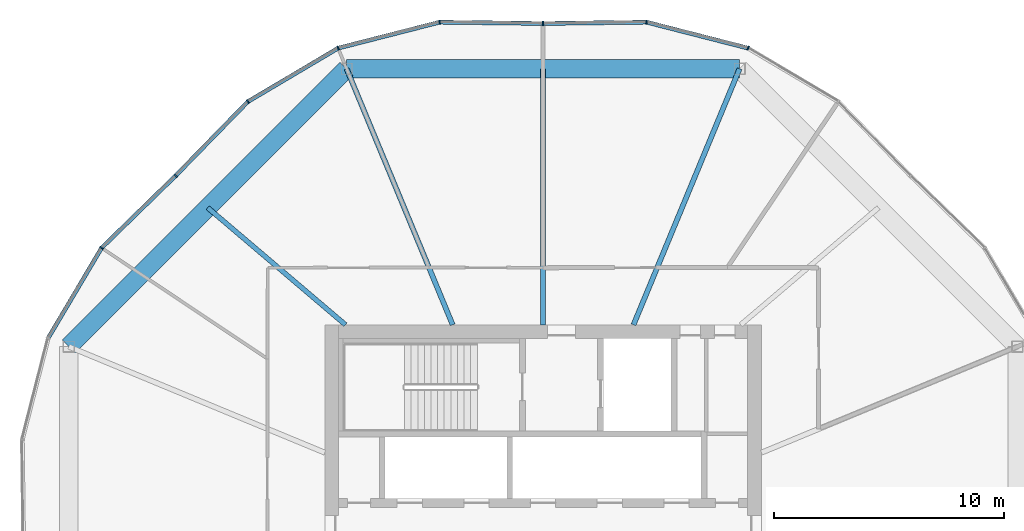
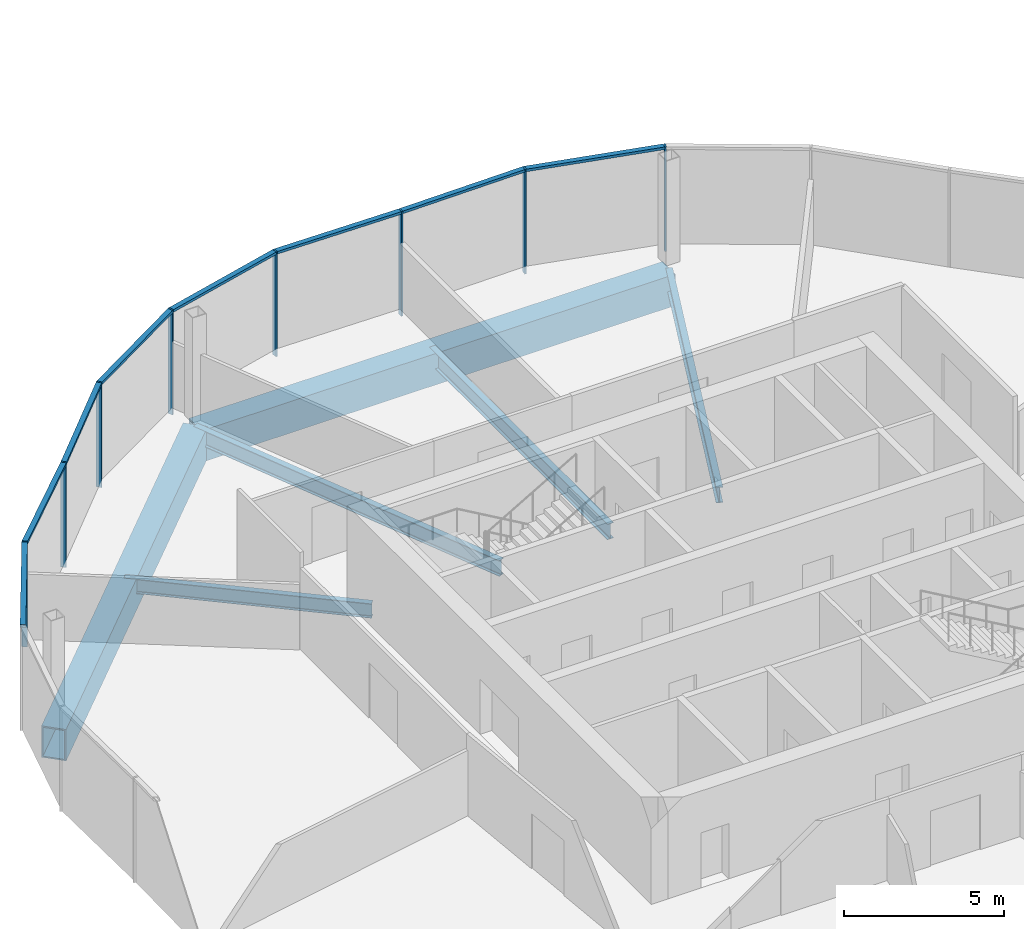
# One storey, part 10 of 26: 16 members, 6 beams, 3 elements without a shape of their own.
"""IFC4 building model written with IfcOpenShell, lengths in metres."""

from ifc_helpers import new_model, si_unit, direction, frame, origin, origin_2d, place, context, subcontext, project, spatial, rectangle, hollow_rectangle, i_section, extrude, material, material_profile, profile_set, type_object, element, aggregate, save


model = new_model("IFC4")

# Units and contexts
model_context = context("Model", 3, precision=1e-05, world=origin(), true_north=direction((0.0, 1.0)))
body_context = subcontext(model_context, "Body", "Model", "MODEL_VIEW")
ifc_project = project(units=[si_unit("LENGTHUNIT", "METRE"), si_unit("AREAUNIT", "SQUARE_METRE"), si_unit("VOLUMEUNIT", "CUBIC_METRE"), si_unit("PLANEANGLEUNIT", "RADIAN"), si_unit("MASSUNIT", "GRAM", prefix="KILO")], contexts=[model_context])

# Site, building, storey
site_placement = place(None, origin())
site = spatial("IfcSite", under=ifc_project, at=site_placement, CompositionType="ELEMENT")
building_placement = place(site_placement, origin())
building = spatial("IfcBuilding", under=site, at=building_placement, Name="Ogive Gate Towers", CompositionType="ELEMENT")
storey_placement = place(building_placement, frame((0.0, 0.0, 148.800048828125)))
storey = spatial("IfcBuildingStorey", under=building, at=storey_placement, Name="L35", CompositionType="ELEMENT", Elevation=148.800048828125)

# Beams
ifc_material_1 = material(Name="Steel SM460", Category="steel")
ifc_material_profile_1 = material_profile(ifc_material_1, hollow_rectangle(XDim=0.800048828125, YDim=1.199951171875, WallThickness=0.050048828125, at=origin_2d()), Name="BX 1200x800x50")
ifc_profile_set_1 = profile_set([ifc_material_profile_1], Name="Steel SM460")
beam_type_1 = type_object("IfcBeamType", Name="Edge girder BX 1200x800x50", PredefinedType="BEAM", material=ifc_profile_set_1)
beam_1_placement = place(storey_placement, frame((-27.450927734375, 20.639404296875, -0.900146484375), z_axis=(-1.0, 0.0, 0.0), x_axis=(0.0, -1.0, 0.0)))
element("IfcBeam", 1, at=beam_1_placement, inside=storey, type_object=beam_type_1, Name="T1/L35/SBM022", PredefinedType="BEAM", context=body_context, shape_type="SweptSolid", body=[
    extrude(hollow_rectangle(XDim=0.800048828125, YDim=1.199951171875, WallThickness=0.050048828125, at=origin_2d()), origin(), (0.0, 0.0, 1.0), 17.09814453125),
])
beam_2_placement = place(storey_placement, frame((-44.549072265625, 20.639404296875, -0.900146484375), z_axis=(-0.707106781187, -0.707106781187, 0.0), x_axis=(0.707106781187, -0.707106781187, 0.0)))
element("IfcBeam", 2, at=beam_2_placement, inside=storey, type_object=beam_type_1, Name="T1/L35/SBM023", PredefinedType="BEAM", context=body_context, shape_type="SweptSolid", body=[
    extrude(hollow_rectangle(XDim=0.800048828125, YDim=1.199951171875, WallThickness=0.050048828125, at=origin_2d()), origin(), (0.0, 0.0, 1.0), 17.098388671875),
])
ifc_material_2 = material(Name="Steel SM355", Category="steel")
ifc_material_profile_2 = material_profile(ifc_material_2, i_section(OverallWidth=0.2099609375, OverallDepth=0.550048828125, WebThickness=0.010986328125, FlangeThickness=0.01708984375, FilletRadius=0.02392578125, at=origin_2d()), Name="IPE 550")
ifc_profile_set_2 = profile_set([ifc_material_profile_2], Name="Steel SM355")
beam_type_2 = type_object("IfcBeamType", Name="Radial floor beam IPE 550", PredefinedType="BEAM", material=ifc_profile_set_2)
beam_3_placement = place(storey_placement, frame((-44.60009765625, 9.5, -0.574951171875), z_axis=(-0.761988324045, 0.647590761222, 0.0), x_axis=(-0.647590761222, -0.761988324045, 0.0)))
element("IfcBeam", 3, at=beam_3_placement, inside=storey, type_object=beam_type_2, Name="T1/L35/SBM014", PredefinedType="BEAM", context=body_context, shape_type="SweptSolid", body=[
    extrude(i_section(OverallWidth=0.2099609375, OverallDepth=0.550048828125, WebThickness=0.010986328125, FlangeThickness=0.01708984375, FilletRadius=0.02392578125, at=origin_2d()), origin(), (0.0, 0.0, 1.0), 7.866455078125),
])
ifc_material_profile_3 = material_profile(ifc_material_2, i_section(OverallWidth=0.219970703125, OverallDepth=0.60009765625, WebThickness=0.011962890625, FlangeThickness=0.01904296875, FilletRadius=0.02392578125, at=origin_2d()), Name="IPE 600")
ifc_profile_set_3 = profile_set([ifc_material_profile_3], Name="Steel SM355")
beam_type_3 = type_object("IfcBeamType", Name="Radial floor beam IPE 600", PredefinedType="BEAM", material=ifc_profile_set_3)
beam_4_placement = place(storey_placement, frame((-32.06494140625, 9.5, -0.60009765625), z_axis=(0.382677863518, 0.923881839184, 0.0), x_axis=(-0.923881839184, 0.382677863518, 0.0)))
element("IfcBeam", 4, at=beam_4_placement, inside=storey, type_object=beam_type_3, Name="T1/L35/SBM011", PredefinedType="BEAM", context=body_context, shape_type="SweptSolid", body=[
    extrude(i_section(OverallWidth=0.219970703125, OverallDepth=0.60009765625, WebThickness=0.011962890625, FlangeThickness=0.01904296875, FilletRadius=0.02392578125, at=origin_2d()), origin(), (0.0, 0.0, 1.0), 12.05712890625),
])
beam_5_placement = place(storey_placement, frame((-36.0, 9.5, -0.60009765625), z_axis=(0.0, 1.0, 0.0), x_axis=(-1.0, 0.0, 0.0)))
element("IfcBeam", 5, at=beam_5_placement, inside=storey, type_object=beam_type_3, Name="T1/L35/SBM012", PredefinedType="BEAM", context=body_context, shape_type="SweptSolid", body=[
    extrude(i_section(OverallWidth=0.219970703125, OverallDepth=0.60009765625, WebThickness=0.011962890625, FlangeThickness=0.01904296875, FilletRadius=0.02392578125, at=origin_2d()), origin(), (0.0, 0.0, 1.0), 11.139404296875),
])
beam_6_placement = place(storey_placement, frame((-39.93505859375, 9.5, -0.60009765625), z_axis=(-0.382677863518, 0.923881839184, 0.0), x_axis=(-0.923881839184, -0.382677863518, 0.0)))
element("IfcBeam", 6, at=beam_6_placement, inside=storey, type_object=beam_type_3, Name="T1/L35/SBM013", PredefinedType="BEAM", context=body_context, shape_type="SweptSolid", body=[
    extrude(i_section(OverallWidth=0.219970703125, OverallDepth=0.60009765625, WebThickness=0.011962890625, FlangeThickness=0.01904296875, FilletRadius=0.02392578125, at=origin_2d()), origin(), (0.0, 0.0, 1.0), 12.05712890625),
])

# Curtain wall, members
ifc_material_3 = material(Name="Pale metal aluminium", Category="aluminium")
curtain_wall_type = type_object("IfcCurtainWallType", Name="Tower unitised wall, high zone", PredefinedType="NOTDEFINED", material=ifc_material_3)
curtain_wall_1_placement = place(storey_placement, origin())
curtain_wall_1 = element("IfcCurtainWall", 7, at=curtain_wall_1_placement, inside=storey, type_object=curtain_wall_type, Name="CW2 T1 ECW02", PredefinedType="NOTDEFINED")
ifc_material_profile_4 = material_profile(ifc_material_3, rectangle(XDim=0.179931640625, YDim=0.06005859375, at=origin_2d()), Name="60 x 180 aluminium box")
ifc_profile_set_4 = profile_set([ifc_material_profile_4], Name="Pale metal aluminium")
member_type_1 = type_object("IfcMemberType", Name="Tower unitised wall, high zone mullion 60 x 180", PredefinedType="MULLION", material=ifc_profile_set_4)
member_1_placement = place(storey_placement, frame((-27.0791015625, 21.53662109375, -0.300048828125), z_axis=(0.0, 0.0, 1.0), x_axis=(0.382683432365, 0.923879532511, 0.0)))
member_1 = element("IfcMember", 8, at=member_1_placement, type_object=member_type_1, Name="CW2 mullion", PredefinedType="MULLION", context=body_context, shape_type="SweptSolid", body=[
    extrude(rectangle(XDim=0.179931640625, YDim=0.06005859375, at=origin_2d()), origin(), (0.0, 0.0, 1.0), 4.0),
])
member_2_placement = place(storey_placement, frame((-31.498291015625, 22.66796875, -0.300048828125), z_axis=(0.0, 0.0, 1.0), x_axis=(0.118611931918, 0.992940687859, 0.0)))
member_2 = element("IfcMember", 9, at=member_2_placement, type_object=member_type_1, Name="CW2 mullion", PredefinedType="MULLION", context=body_context, shape_type="SweptSolid", body=[
    extrude(rectangle(XDim=0.179931640625, YDim=0.06005859375, at=origin_2d()), origin(), (0.0, 0.0, 1.0), 4.0),
])
member_3_placement = place(storey_placement, frame((-36.0, 22.610107421875, -0.300048828125), z_axis=(0.0, 0.0, 1.0), x_axis=(-0.012827818167, 0.999917720156, 0.0)))
member_3 = element("IfcMember", 10, at=member_3_placement, type_object=member_type_1, Name="CW2 mullion", PredefinedType="MULLION", context=body_context, shape_type="SweptSolid", body=[
    extrude(rectangle(XDim=0.179931640625, YDim=0.06005859375, at=origin_2d()), origin(), (0.0, 0.0, 1.0), 4.0),
])

curtain_wall_2_placement = place(storey_placement, origin())
curtain_wall_2 = element("IfcCurtainWall", 11, at=curtain_wall_2_placement, inside=storey, type_object=curtain_wall_type, Name="CW2 T1 ECW03", PredefinedType="NOTDEFINED")
member_4_placement = place(storey_placement, frame((-40.501708984375, 22.66796875, -0.300048828125), z_axis=(0.0, 0.0, 1.0), x_axis=(-0.118611931918, 0.992940687859, 0.0)))
member_4 = element("IfcMember", 12, at=member_4_placement, type_object=member_type_1, Name="CW2 mullion", PredefinedType="MULLION", context=body_context, shape_type="SweptSolid", body=[
    extrude(rectangle(XDim=0.179931640625, YDim=0.06005859375, at=origin_2d()), origin(), (0.0, 0.0, 1.0), 4.0),
])
member_5_placement = place(storey_placement, frame((-44.9208984375, 21.53662109375, -0.300048828125), z_axis=(0.0, 0.0, 1.0), x_axis=(-0.382683432365, 0.923879532511, 0.0)))
member_5 = element("IfcMember", 13, at=member_5_placement, type_object=member_type_1, Name="CW2 mullion", PredefinedType="MULLION", context=body_context, shape_type="SweptSolid", body=[
    extrude(rectangle(XDim=0.179931640625, YDim=0.06005859375, at=origin_2d()), origin(), (0.0, 0.0, 1.0), 4.0),
])
member_6_placement = place(storey_placement, frame((-48.845458984375, 19.2119140625, -0.300048828125), z_axis=(0.0, 0.0, 1.0), x_axis=(-0.618230074168, 0.78599718536, 0.0)))
member_6 = element("IfcMember", 14, at=member_6_placement, type_object=member_type_1, Name="CW2 mullion", PredefinedType="MULLION", context=body_context, shape_type="SweptSolid", body=[
    extrude(rectangle(XDim=0.179931640625, YDim=0.06005859375, at=origin_2d()), origin(), (0.0, 0.0, 1.0), 4.0),
])
member_7_placement = place(storey_placement, frame((-51.987548828125, 15.98779296875, -0.300048828125), z_axis=(0.0, 0.0, 1.0), x_axis=(-0.716119237764, 0.697977963337, 0.0)))
member_7 = element("IfcMember", 15, at=member_7_placement, type_object=member_type_1, Name="CW2 mullion", PredefinedType="MULLION", context=body_context, shape_type="SweptSolid", body=[
    extrude(rectangle(XDim=0.179931640625, YDim=0.06005859375, at=origin_2d()), origin(), (0.0, 0.0, 1.0), 4.0),
])

# Curtain wall, member
curtain_wall_3_placement = place(storey_placement, origin())
curtain_wall_3 = element("IfcCurtainWall", 16, at=curtain_wall_3_placement, inside=storey, type_object=curtain_wall_type, Name="CW2 T1 ECW04", PredefinedType="NOTDEFINED")
member_8_placement = place(storey_placement, frame((-55.2119140625, 12.845458984375, -0.300048828125), z_axis=(0.0, 0.0, 1.0), x_axis=(-0.78599718536, 0.618230074168, 0.0)))
member_8 = element("IfcMember", 17, at=member_8_placement, type_object=member_type_1, Name="CW2 mullion", PredefinedType="MULLION", context=body_context, shape_type="SweptSolid", body=[
    extrude(rectangle(XDim=0.179931640625, YDim=0.06005859375, at=origin_2d()), origin(), (0.0, 0.0, 1.0), 4.0),
])

# Member
ifc_material_profile_5 = material_profile(ifc_material_3, rectangle(XDim=0.179931640625, YDim=0.10009765625, at=origin_2d()), Name="100 x 180 aluminium box")
ifc_profile_set_5 = profile_set([ifc_material_profile_5], Name="Pale metal aluminium")
member_type_2 = type_object("IfcMemberType", Name="Tower unitised wall, high zone transom 100 x 180", PredefinedType="USERDEFINED", material=ifc_profile_set_5)
member_9_placement = place(storey_placement, frame((-27.10693359375, 21.543701171875, 3.64990234375), z_axis=(-0.968765769821, 0.247977586132, 0.0), x_axis=(-0.247977586132, -0.968765769821, 0.0)))
member_9 = element("IfcMember", 18, at=member_9_placement, type_object=member_type_2, Name="CW2 transom", ObjectType="TRANSOM", PredefinedType="USERDEFINED", context=body_context, shape_type="SweptSolid", body=[
    extrude(rectangle(XDim=0.179931640625, YDim=0.10009765625, at=origin_2d()), origin(), (0.0, 0.0, 1.0), 4.504150390625),
])

member_10_placement = place(storey_placement, frame((-31.527099609375, 22.66748046875, 3.64990234375), z_axis=(-0.999917339021, -0.012857492984, 0.0), x_axis=(0.012857492984, -0.999917339021, 0.0)))
member_10 = element("IfcMember", 19, at=member_10_placement, type_object=member_type_2, Name="CW2 transom", ObjectType="TRANSOM", PredefinedType="USERDEFINED", context=body_context, shape_type="SweptSolid", body=[
    extrude(rectangle(XDim=0.179931640625, YDim=0.10009765625, at=origin_2d()), origin(), (0.0, 0.0, 1.0), 4.443359375),
])

aggregate(curtain_wall_1, [member_1, member_2, member_9, member_3, member_10])

member_11_placement = place(storey_placement, frame((-36.030029296875, 22.6103515625, 3.64990234375), z_axis=(-0.999917339021, 0.012857492984, 0.0), x_axis=(-0.012857492984, -0.999917339021, 0.0)))
member_11 = element("IfcMember", 20, at=member_11_placement, type_object=member_type_2, Name="CW2 transom", ObjectType="TRANSOM", PredefinedType="USERDEFINED", context=body_context, shape_type="SweptSolid", body=[
    extrude(rectangle(XDim=0.179931640625, YDim=0.10009765625, at=origin_2d()), origin(), (0.0, 0.0, 1.0), 4.443359375),
])

member_12_placement = place(storey_placement, frame((-40.529541015625, 22.66064453125, 3.64990234375), z_axis=(-0.968765769821, -0.247977586132, 0.0), x_axis=(0.247977586132, -0.968765769821, 0.0)))
member_12 = element("IfcMember", 21, at=member_12_placement, type_object=member_type_2, Name="CW2 transom", ObjectType="TRANSOM", PredefinedType="USERDEFINED", context=body_context, shape_type="SweptSolid", body=[
    extrude(rectangle(XDim=0.179931640625, YDim=0.10009765625, at=origin_2d()), origin(), (0.0, 0.0, 1.0), 4.504150390625),
])

member_13_placement = place(storey_placement, frame((-44.9453125, 21.52197265625, 3.64990234375), z_axis=(-0.860382203053, -0.509649354625, 0.0), x_axis=(0.509649354625, -0.860382203053, 0.0)))
member_13 = element("IfcMember", 22, at=member_13_placement, type_object=member_type_2, Name="CW2 transom", ObjectType="TRANSOM", PredefinedType="USERDEFINED", context=body_context, shape_type="SweptSolid", body=[
    extrude(rectangle(XDim=0.179931640625, YDim=0.10009765625, at=origin_2d()), origin(), (0.0, 0.0, 1.0), 4.50439453125),
])

member_14_placement = place(storey_placement, frame((-48.865478515625, 19.191162109375, 3.64990234375), z_axis=(-0.697982523024, -0.716114793558, 0.0), x_axis=(0.716114793558, -0.697982523024, 0.0)))
member_14 = element("IfcMember", 23, at=member_14_placement, type_object=member_type_2, Name="CW2 transom", ObjectType="TRANSOM", PredefinedType="USERDEFINED", context=body_context, shape_type="SweptSolid", body=[
    extrude(rectangle(XDim=0.179931640625, YDim=0.10009765625, at=origin_2d()), origin(), (0.0, 0.0, 1.0), 4.443359375),
])

aggregate(curtain_wall_2, [member_4, member_11, member_5, member_12, member_6, member_13, member_7, member_14])

member_15_placement = place(storey_placement, frame((-52.00927734375, 15.966796875, 3.64990234375), z_axis=(-0.716114793558, -0.697982523024, 0.0), x_axis=(0.697982523024, -0.716114793558, 0.0)))
member_15 = element("IfcMember", 24, at=member_15_placement, type_object=member_type_2, Name="CW2 transom", ObjectType="TRANSOM", PredefinedType="USERDEFINED", context=body_context, shape_type="SweptSolid", body=[
    extrude(rectangle(XDim=0.179931640625, YDim=0.10009765625, at=origin_2d()), origin(), (0.0, 0.0, 1.0), 4.443359375),
])

member_16_placement = place(storey_placement, frame((-55.226318359375, 12.82080078125, 3.64990234375), z_axis=(-0.509649354625, -0.860382203053, 0.0), x_axis=(0.860382203053, -0.509649354625, 0.0)))
member_16 = element("IfcMember", 25, at=member_16_placement, type_object=member_type_2, Name="CW2 transom", ObjectType="TRANSOM", PredefinedType="USERDEFINED", context=body_context, shape_type="SweptSolid", body=[
    extrude(rectangle(XDim=0.179931640625, YDim=0.10009765625, at=origin_2d()), origin(), (0.0, 0.0, 1.0), 4.50439453125),
])

aggregate(curtain_wall_3, [member_8, member_15, member_16])

save(model, "model.ifc")
